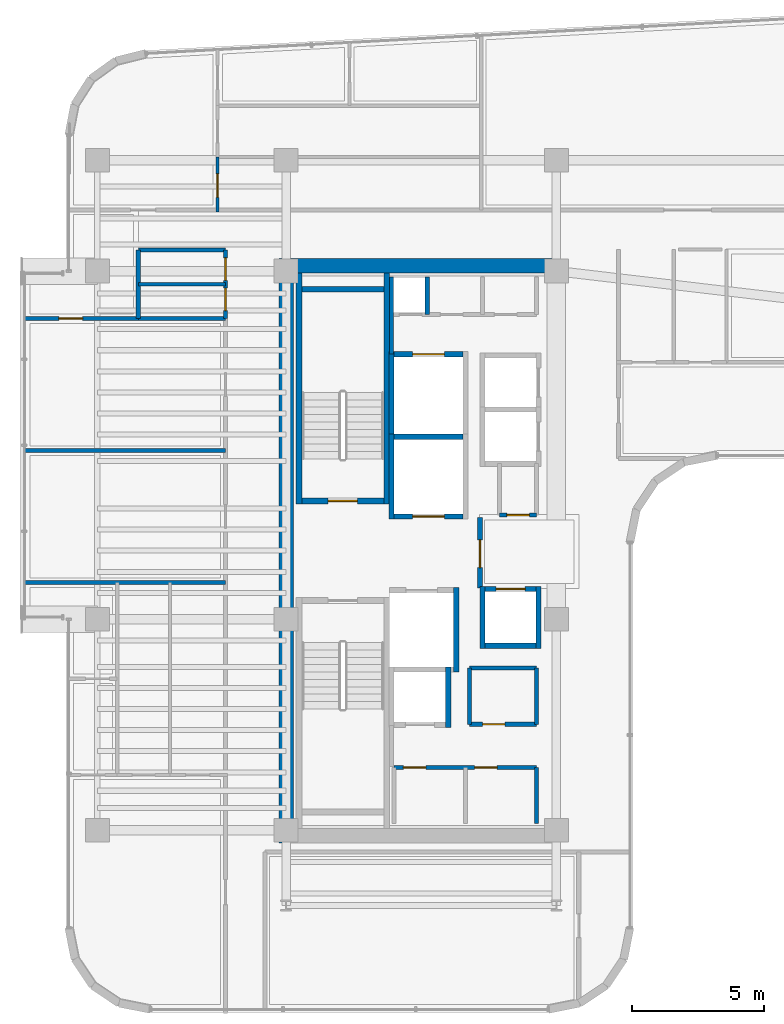
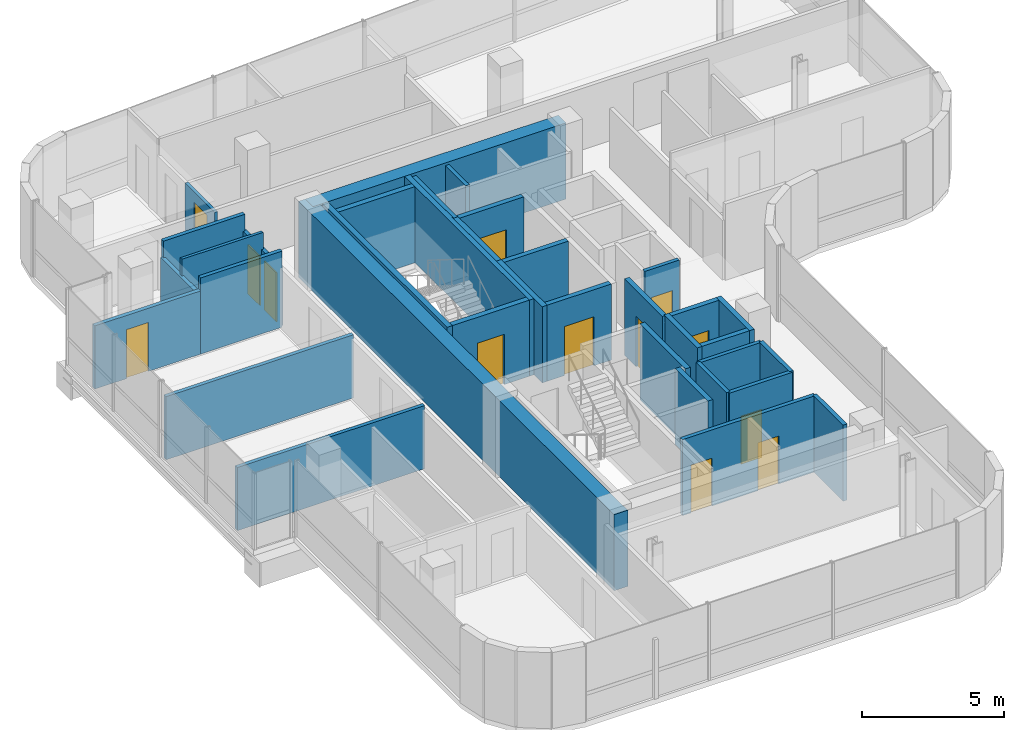
# One storey, part 17 of 22: 36 walls, 13 doors, 13 openings.
"""IFC4 building model written with IfcOpenShell, lengths in metres."""

from ifc_helpers import new_model, si_unit, direction, frame, frame_2d, origin, place, context, subcontext, project, spatial, rectangle, extrude, material, layer, layer_set, type_object, element, fill, save


model = new_model("IFC4")

# Units and contexts
model_context = context("Model", 3, precision=1e-05, world=origin(), true_north=direction((0.0, 1.0)))
body_context = subcontext(model_context, "Body", "Model", "MODEL_VIEW")
ifc_project = project(units=[si_unit("LENGTHUNIT", "METRE"), si_unit("AREAUNIT", "SQUARE_METRE"), si_unit("VOLUMEUNIT", "CUBIC_METRE"), si_unit("PLANEANGLEUNIT", "RADIAN"), si_unit("MASSUNIT", "GRAM", prefix="KILO")], contexts=[model_context])

# Site, building, storey
site_placement = place(None, origin())
site = spatial("IfcSite", under=ifc_project, at=site_placement, CompositionType="ELEMENT")
building_placement = place(site_placement, origin())
building = spatial("IfcBuilding", under=site, at=building_placement, Name="Valdorenza Pilgrim Sanctuary Tower", CompositionType="ELEMENT")
storey_placement = place(building_placement, frame((0.0, 0.0, 209.0)))
storey = spatial("IfcBuildingStorey", under=building, at=storey_placement, Name="L53", CompositionType="ELEMENT", Elevation=209.0)

# Walls
ifc_material_1 = material(Name="Acoustic twin-stud gypsum partition", Category="gypsum")
ifc_layer_1 = layer(ifc_material_1, 0.159912109375, Name="Acoustic twin-stud gypsum partition")
ifc_layer_set_1 = layer_set([ifc_layer_1], Name="Acoustic twin-stud gypsum partition")
wall_type_1 = type_object("IfcWallType", Name="WAL-COR-160", PredefinedType="PARTITIONING", material=ifc_layer_set_1)
wall_1_placement = place(storey_placement, frame((-18.64990234375, 7.449951171875, 0.0), z_axis=(0.0, 0.0, 1.0), x_axis=(0.0, 1.0, 0.0)))
element("IfcWall", 1, at=wall_1_placement, inside=storey, type_object=wall_type_1, Name="L53 Core A North Service West Wall", PredefinedType="PARTITIONING", context=body_context, shape_type="SweptSolid", body=[
    extrude(rectangle(XDim=2.929931640625, YDim=0.159912109375, at=frame_2d((1.46484375, 0.0))), origin(), (0.0, 0.0, 1.0), 3.260009765625),
])
wall_2_placement = place(storey_placement, frame((-17.300048828125, 8.949951171875, 0.0), z_axis=(0.0, 0.0, 1.0), x_axis=(0.0, 1.0, 0.0)))
element("IfcWall", 2, at=wall_2_placement, inside=storey, type_object=wall_type_1, Name="L53 Core Electrical Riser Wall", PredefinedType="PARTITIONING", context=body_context, shape_type="SweptSolid", body=[
    extrude(rectangle(XDim=1.429931640625, YDim=0.159912109375, at=frame_2d((0.71484375, 0.0))), origin(), (0.0, 0.0, 1.0), 3.260009765625),
])

# Wall, openings, doors
wall_3_placement = place(storey_placement, frame((-18.550048828125, -8.219970703125, 0.0), z_axis=(0.0, 0.0, 1.0), x_axis=(1.0, 0.0, 0.0)))
wall_3 = element("IfcWall", 3, at=wall_3_placement, inside=storey, type_object=wall_type_1, Name="L53 Freed Shaft 1 North Wall", PredefinedType="PARTITIONING", context=body_context, shape_type="SweptSolid", body=[
    extrude(rectangle(XDim=5.400146484375, YDim=0.159912109375, at=frame_2d((2.7001953125, 0.0))), origin(), (0.0, 0.0, 1.0), 3.260009765625),
])
opening_1_placement = place(wall_3_placement, frame((0.35009765625, 0.0, 0.0)))
opening_1 = element("IfcOpeningElement", 4, at=opening_1_placement, cuts=wall_3, Name="Opening DR-RS1", PredefinedType="OPENING", context=body_context, shape_type="SweptSolid", body=[
    extrude(rectangle(XDim=0.85009765625, YDim=2.050048828125, at=frame_2d((0.425048828125, 1.02490234375))), frame((0.0, 0.0947265625, 0.0), z_axis=(0.0, -1.0, 0.0), x_axis=(1.0, 0.0, 0.0)), (0.0, 0.0, 1.0), 0.189697265625),
])
opening_2_placement = place(wall_3_placement, frame((3.050048828125, 0.0, 0.0)))
opening_2 = element("IfcOpeningElement", 5, at=opening_2_placement, cuts=wall_3, Name="Opening DR-RS1", PredefinedType="OPENING", context=body_context, shape_type="SweptSolid", body=[
    extrude(rectangle(XDim=0.85009765625, YDim=2.050048828125, at=frame_2d((0.425048828125, 1.02490234375))), frame((0.0, 0.0947265625, 0.0), z_axis=(0.0, -1.0, 0.0), x_axis=(1.0, 0.0, 0.0)), (0.0, 0.0, 1.0), 0.189697265625),
])
ifc_material_2 = material(Name="Painted galvanized steel", Category="steel")
door_type_1 = type_object("IfcDoorType", Name="DR-RSR-850", OperationType="NOTDEFINED", PredefinedType="DOOR", material=ifc_material_2)
door_1_placement = place(opening_1_placement, origin())
door_1 = element("IfcDoor", 6, at=door_1_placement, inside=storey, type_object=door_type_1, Name="L53 Linen Store Door", OperationType="SINGLE_SWING_RIGHT", OverallHeight=2.050048828125, OverallWidth=0.85009765625, PredefinedType="DOOR", context=body_context, shape_type="SweptSolid", body=[
    extrude(rectangle(XDim=0.85009765625, YDim=2.050048828125, at=frame_2d((0.425048828125, 1.02490234375))), frame((0.0, 0.02490234375, 0.0), z_axis=(0.0, -1.0, 0.0), x_axis=(1.0, 0.0, 0.0)), (0.0, 0.0, 1.0), 0.050048828125),
])
fill(opening_1, door_1)
door_2_placement = place(opening_2_placement, origin())
door_2 = element("IfcDoor", 7, at=door_2_placement, inside=storey, type_object=door_type_1, Name="L53 Cot Store Door", OperationType="SINGLE_SWING_LEFT", OverallHeight=2.050048828125, OverallWidth=0.85009765625, PredefinedType="DOOR", context=body_context, shape_type="SweptSolid", body=[
    extrude(rectangle(XDim=0.85009765625, YDim=2.050048828125, at=frame_2d((0.425048828125, 1.02490234375))), frame((0.0, 0.02490234375, 0.0), z_axis=(0.0, -1.0, 0.0), x_axis=(1.0, 0.0, 0.0)), (0.0, 0.0, 1.0), 0.050048828125),
])
fill(opening_2, door_2)

# Wall
wall_4_placement = place(storey_placement, frame((-13.14990234375, -10.35009765625, 0.0), z_axis=(0.0, 0.0, 1.0), x_axis=(0.0, 1.0, 0.0)))
element("IfcWall", 8, at=wall_4_placement, inside=storey, type_object=wall_type_1, Name="L53 Freed Shaft 1 East Wall", PredefinedType="PARTITIONING", context=body_context, shape_type="SweptSolid", body=[
    extrude(rectangle(XDim=2.130126953125, YDim=0.159912109375, at=frame_2d((1.06494140625, 0.0))), origin(), (0.0, 0.0, 1.0), 3.260009765625),
])

# Wall, opening, door
wall_5_placement = place(storey_placement, frame((-15.699951171875, -6.580078125, 0.0), z_axis=(0.0, 0.0, 1.0), x_axis=(1.0, 0.0, 0.0)))
wall_5 = element("IfcWall", 9, at=wall_5_placement, inside=storey, type_object=wall_type_1, Name="L53 Freed Shaft 2 South Wall", PredefinedType="PARTITIONING", context=body_context, shape_type="SweptSolid", body=[
    extrude(rectangle(XDim=2.550048828125, YDim=0.159912109375, at=frame_2d((1.27490234375, 0.0))), origin(), (0.0, 0.0, 1.0), 3.260009765625),
])
opening_3_placement = place(wall_5_placement, frame((0.5, 0.0, 0.0)))
opening_3 = element("IfcOpeningElement", 10, at=opening_3_placement, cuts=wall_5, Name="Opening DR-RS1", PredefinedType="OPENING", context=body_context, shape_type="SweptSolid", body=[
    extrude(rectangle(XDim=0.85009765625, YDim=2.050048828125, at=frame_2d((0.425048828125, 1.02490234375))), frame((0.0, 0.0947265625, 0.0), z_axis=(0.0, -1.0, 0.0), x_axis=(1.0, 0.0, 0.0)), (0.0, 0.0, 1.0), 0.189697265625),
])
door_3_placement = place(opening_3_placement, origin())
door_3 = element("IfcDoor", 11, at=door_3_placement, inside=storey, type_object=door_type_1, Name="L53 Guest Tea Pantry Door", OperationType="SINGLE_SWING_RIGHT", OverallHeight=2.050048828125, OverallWidth=0.85009765625, PredefinedType="DOOR", context=body_context, shape_type="SweptSolid", body=[
    extrude(rectangle(XDim=0.85009765625, YDim=2.050048828125, at=frame_2d((0.425048828125, 1.02490234375))), frame((0.0, 0.02490234375, 0.0), z_axis=(0.0, -1.0, 0.0), x_axis=(1.0, 0.0, 0.0)), (0.0, 0.0, 1.0), 0.050048828125),
])
fill(opening_3, door_3)

# Walls
wall_6_placement = place(storey_placement, frame((-13.14990234375, -6.580078125, 0.0), z_axis=(0.0, 0.0, 1.0), x_axis=(0.0, 1.0, 0.0)))
element("IfcWall", 12, at=wall_6_placement, inside=storey, type_object=wall_type_1, Name="L53 Freed Shaft 2 East Wall", PredefinedType="PARTITIONING", context=body_context, shape_type="SweptSolid", body=[
    extrude(rectangle(XDim=2.130126953125, YDim=0.159912109375, at=frame_2d((1.06494140625, 0.0))), origin(), (0.0, 0.0, 1.0), 3.260009765625),
])
wall_7_placement = place(storey_placement, frame((-28.25, 8.800048828125, 0.0), z_axis=(0.0, 0.0, 1.0), x_axis=(0.0, 1.0, 0.0)))
element("IfcWall", 13, at=wall_7_placement, inside=storey, type_object=wall_type_1, Name="L53 Washroom West Wall", PredefinedType="PARTITIONING", context=body_context, shape_type="SweptSolid", body=[
    extrude(rectangle(XDim=2.599853515625, YDim=0.159912109375, at=frame_2d((1.2998046875, 0.0))), origin(), (0.0, 0.0, 1.0), 2.5439453125),
])

# Wall, openings, doors
wall_8_placement = place(storey_placement, frame((-24.949951171875, 8.800048828125, 0.0), z_axis=(0.0, 0.0, 1.0), x_axis=(0.0, 1.0, 0.0)))
wall_8 = element("IfcWall", 14, at=wall_8_placement, inside=storey, type_object=wall_type_1, Name="L53 Washroom East Wall", PredefinedType="PARTITIONING", context=body_context, shape_type="SweptSolid", body=[
    extrude(rectangle(XDim=2.599853515625, YDim=0.159912109375, at=frame_2d((1.2998046875, 0.0))), origin(), (0.0, 0.0, 1.0), 2.5439453125),
])
opening_4_placement = place(wall_8_placement, frame((0.300048828125, 0.0, 0.0)))
opening_4 = element("IfcOpeningElement", 15, at=opening_4_placement, cuts=wall_8, Name="Opening DR-WC1", PredefinedType="OPENING", context=body_context, shape_type="SweptSolid", body=[
    extrude(rectangle(XDim=0.85009765625, YDim=2.10009765625, at=frame_2d((0.425048828125, 1.050048828125))), frame((0.0, 0.0947265625, 0.0), z_axis=(0.0, -1.0, 0.0), x_axis=(1.0, 0.0, 0.0)), (0.0, 0.0, 1.0), 0.189697265625),
])
opening_5_placement = place(wall_8_placement, frame((1.449951171875, 0.0, 0.0)))
opening_5 = element("IfcOpeningElement", 16, at=opening_5_placement, cuts=wall_8, Name="Opening DR-WC1", PredefinedType="OPENING", context=body_context, shape_type="SweptSolid", body=[
    extrude(rectangle(XDim=0.85009765625, YDim=2.10009765625, at=frame_2d((0.425048828125, 1.050048828125))), frame((0.0, 0.0947265625, 0.0), z_axis=(0.0, -1.0, 0.0), x_axis=(1.0, 0.0, 0.0)), (0.0, 0.0, 1.0), 0.189697265625),
])
ifc_material_3 = material(Name="Moisture-resistant lacquered timber", Category="wood")
door_type_2 = type_object("IfcDoorType", Name="DR-BATH-850", OperationType="NOTDEFINED", PredefinedType="DOOR", material=ifc_material_3)
door_4_placement = place(opening_4_placement, origin())
door_4 = element("IfcDoor", 17, at=door_4_placement, inside=storey, type_object=door_type_2, Name="L53 Accessible Washroom Door", OperationType="SINGLE_SWING_RIGHT", OverallHeight=2.10009765625, OverallWidth=0.85009765625, PredefinedType="DOOR", context=body_context, shape_type="SweptSolid", body=[
    extrude(rectangle(XDim=0.85009765625, YDim=2.10009765625, at=frame_2d((0.425048828125, 1.050048828125))), frame((0.0, 0.02490234375, 0.0), z_axis=(0.0, -1.0, 0.0), x_axis=(1.0, 0.0, 0.0)), (0.0, 0.0, 1.0), 0.050048828125),
])
fill(opening_4, door_4)
door_5_placement = place(opening_5_placement, origin())
door_5 = element("IfcDoor", 18, at=door_5_placement, inside=storey, type_object=door_type_2, Name="L53 Public Washroom Door", OperationType="SINGLE_SWING_LEFT", OverallHeight=2.10009765625, OverallWidth=0.85009765625, PredefinedType="DOOR", context=body_context, shape_type="SweptSolid", body=[
    extrude(rectangle(XDim=0.85009765625, YDim=2.10009765625, at=frame_2d((0.425048828125, 1.050048828125))), frame((0.0, 0.02490234375, 0.0), z_axis=(0.0, -1.0, 0.0), x_axis=(1.0, 0.0, 0.0)), (0.0, 0.0, 1.0), 0.050048828125),
])
fill(opening_5, door_5)

# Walls
for number, where, z_axis, x_axis, name in (
    (19, (-28.25, 8.800048828125, 0.0), (0.0, 0.0, 1.0), (1.0, 0.0, 0.0), "L53 Washroom South Wall"),
    (20, (-28.25, 11.39990234375, 0.0), (0.0, 0.0, 1.0), (1.0, 0.0, 0.0), "L53 Washroom North Wall"),
):
    element("IfcWall", number, at=place(storey_placement, frame(where, z_axis=z_axis, x_axis=x_axis)), inside=storey, type_object=wall_type_1, Name=name, PredefinedType="PARTITIONING", context=body_context, shape_type="SweptSolid", body=[
        extrude(rectangle(XDim=3.300048828125, YDim=0.159912109375, at=frame_2d((1.64990234375, 0.0))), origin(), (0.0, 0.0, 1.0), 3.260009765625),
    ])

# Wall, opening, door
wall_9_placement = place(storey_placement, frame((-32.5400390625, 8.800048828125, 0.0), z_axis=(0.0, 0.0, 1.0), x_axis=(1.0, 0.0, 0.0)))
wall_9 = element("IfcWall", 21, at=wall_9_placement, inside=storey, type_object=wall_type_1, Name="L53 West North Alcove Wall", PredefinedType="PARTITIONING", context=body_context, shape_type="SweptSolid", body=[
    extrude(rectangle(XDim=4.2900390625, YDim=0.159912109375, at=frame_2d((2.14501953125, 0.0))), origin(), (0.0, 0.0, 1.0), 2.7060546875),
])
opening_6_placement = place(wall_9_placement, frame((1.280029296875, 0.0, 0.0)))
opening_6 = element("IfcOpeningElement", 22, at=opening_6_placement, cuts=wall_9, Name="Opening DR-RM1", PredefinedType="OPENING", context=body_context, shape_type="SweptSolid", body=[
    extrude(rectangle(XDim=0.89990234375, YDim=2.10009765625, at=frame_2d((0.449951171875, 1.050048828125))), frame((0.0, 0.0947265625, 0.0), z_axis=(0.0, -1.0, 0.0), x_axis=(1.0, 0.0, 0.0)), (0.0, 0.0, 1.0), 0.189697265625),
])
ifc_material_4 = material(Name="Solid-core European oak timber", Category="wood")
door_type_3 = type_object("IfcDoorType", Name="DR-ROOM-900", OperationType="NOTDEFINED", PredefinedType="DOOR", material=ifc_material_4)
door_6_placement = place(opening_6_placement, origin())
door_6 = element("IfcDoor", 23, at=door_6_placement, inside=storey, type_object=door_type_3, Name="L53 Pilgrim Scholar Office L53-WN Door", OperationType="SINGLE_SWING_RIGHT", OverallHeight=2.10009765625, OverallWidth=0.89990234375, PredefinedType="DOOR", context=body_context, shape_type="SweptSolid", body=[
    extrude(rectangle(XDim=0.89990234375, YDim=2.10009765625, at=frame_2d((0.449951171875, 1.050048828125))), frame((0.0, 0.02490234375, 0.0), z_axis=(0.0, -1.0, 0.0), x_axis=(1.0, 0.0, 0.0)), (0.0, 0.0, 1.0), 0.050048828125),
])
fill(opening_6, door_6)

# Walls
ifc_material_5 = material(Name="Concrete C50/60", Category="concrete")
ifc_layer_2 = layer(ifc_material_5, 0.550048828125, Name="Concrete C50/60")
ifc_layer_set_2 = layer_set([ifc_layer_2], Name="Concrete C50/60")
wall_type_2 = type_object("IfcWallType", Name="WAL-COR-550", PredefinedType="SHEAR", material=ifc_layer_set_2)
wall_10_placement = place(storey_placement, frame((-22.64990234375, -11.074951171875, 0.0), z_axis=(0.0, 0.0, 1.0), x_axis=(0.0, 1.0, 0.0)))
element("IfcWall", 24, at=wall_10_placement, inside=storey, type_object=wall_type_2, Name="L53 Split Core A Shear Wall W", PredefinedType="SHEAR", context=body_context, shape_type="SweptSolid", body=[
    extrude(rectangle(XDim=22.14990234375, YDim=0.550048828125, at=frame_2d((11.074951171875, 0.0))), origin(), (0.0, 0.0, 1.0), 3.260009765625),
])
wall_11_placement = place(storey_placement, frame((-22.64990234375, 10.800048828125, 0.0), z_axis=(0.0, 0.0, 1.0), x_axis=(1.0, 0.0, 0.0)))
element("IfcWall", 25, at=wall_11_placement, inside=storey, type_object=wall_type_2, Name="L53 Split Core A Shear Wall N", PredefinedType="SHEAR", context=body_context, shape_type="SweptSolid", body=[
    extrude(rectangle(XDim=10.25, YDim=0.550048828125, at=frame_2d((5.125, 0.0))), origin(), (0.0, 0.0, 1.0), 3.260009765625),
])

# Wall, opening, door
ifc_material_6 = material(Name="Gypsum shaftwall partition", Category="gypsum")
ifc_layer_3 = layer(ifc_material_6, 0.199951171875, Name="Gypsum shaftwall partition")
ifc_layer_set_3 = layer_set([ifc_layer_3], Name="Gypsum shaftwall partition")
wall_type_3 = type_object("IfcWallType", Name="WAL-FFL-200", PredefinedType="PARTITIONING", material=ifc_layer_set_3)
wall_12_placement = place(storey_placement, frame((-15.300048828125, -1.419921875, 0.0), z_axis=(0.0, 0.0, 1.0), x_axis=(0.0, 1.0, 0.0)))
wall_12 = element("IfcWall", 26, at=wall_12_placement, inside=storey, type_object=wall_type_3, Name="L53 Core A Firefighting Lobby East Wall", PredefinedType="PARTITIONING", context=body_context, shape_type="SweptSolid", body=[
    extrude(rectangle(XDim=2.669921875, YDim=0.199951171875, at=frame_2d((1.3349609375, 0.0))), origin(), (0.0, 0.0, 1.0), 3.260009765625),
])
opening_7_placement = place(wall_12_placement, frame((0.780029296875, 0.0, 0.0)))
opening_7 = element("IfcOpeningElement", 27, at=opening_7_placement, cuts=wall_12, Name="Opening DR-FL1", PredefinedType="OPENING", context=body_context, shape_type="SweptSolid", body=[
    extrude(rectangle(XDim=1.050048828125, YDim=2.14990234375, at=frame_2d((0.52490234375, 1.074951171875))), frame((0.0, 0.11474609375, 0.0), z_axis=(0.0, -1.0, 0.0), x_axis=(1.0, 0.0, 0.0)), (0.0, 0.0, 1.0), 0.229736328125),
])
door_type_4 = type_object("IfcDoorType", Name="DR-FFL-1050", OperationType="NOTDEFINED", PredefinedType="DOOR", material=ifc_material_2)
door_7_placement = place(opening_7_placement, origin())
door_7 = element("IfcDoor", 28, at=door_7_placement, inside=storey, type_object=door_type_4, Name="L53 Core A Firefighting Lobby Door", OperationType="SINGLE_SWING_RIGHT", OverallHeight=2.14990234375, OverallWidth=1.050048828125, PredefinedType="DOOR", context=body_context, shape_type="SweptSolid", body=[
    extrude(rectangle(XDim=1.050048828125, YDim=2.14990234375, at=frame_2d((0.52490234375, 1.074951171875))), frame((0.0, 0.02490234375, 0.0), z_axis=(0.0, -1.0, 0.0), x_axis=(1.0, 0.0, 0.0)), (0.0, 0.0, 1.0), 0.050048828125),
])
fill(opening_7, door_7)

# Wall
ifc_material_7 = material(Name="Moisture-resistant gypsum partition", Category="gypsum")
ifc_layer_4 = layer(ifc_material_7, 0.1201171875, Name="Moisture-resistant gypsum partition")
ifc_layer_set_4 = layer_set([ifc_layer_4], Name="Moisture-resistant gypsum partition")
wall_type_4 = type_object("IfcWallType", Name="WAL-INT-120", PredefinedType="PARTITIONING", material=ifc_layer_set_4)
wall_13_placement = place(storey_placement, frame((-28.25, 10.10009765625, 0.0), z_axis=(0.0, 0.0, 1.0), x_axis=(1.0, 0.0, 0.0)))
element("IfcWall", 29, at=wall_13_placement, inside=storey, type_object=wall_type_4, Name="L53 Washroom Divider Wall", PredefinedType="PARTITIONING", context=body_context, shape_type="SweptSolid", body=[
    extrude(rectangle(XDim=3.300048828125, YDim=0.1201171875, at=frame_2d((1.64990234375, 0.0))), origin(), (0.0, 0.0, 1.0), 3.260009765625),
])

# Wall, opening, door
wall_14_placement = place(storey_placement, frame((-25.24560546875, 12.840087890625, 0.0), z_axis=(0.0, 0.0, 1.0), x_axis=(0.0, 1.0, 0.0)))
wall_14 = element("IfcWall", 30, at=wall_14_placement, inside=storey, type_object=wall_type_4, Name="L53 North Grand Residence L53-N1 Kitchen Door Wall", PredefinedType="PARTITIONING", context=body_context, shape_type="SweptSolid", body=[
    extrude(rectangle(XDim=2.079833984375, YDim=0.1201171875, at=frame_2d((1.0400390625, 0.0))), origin(), (0.0, 0.0, 1.0), 2.5439453125),
])
opening_8_placement = place(wall_14_placement, frame((0.550048828125, 0.0, 0.0)))
opening_8 = element("IfcOpeningElement", 31, at=opening_8_placement, cuts=wall_14, Name="Opening DR-RM1", PredefinedType="OPENING", context=body_context, shape_type="SweptSolid", body=[
    extrude(rectangle(XDim=0.89990234375, YDim=2.10009765625, at=frame_2d((0.449951171875, 1.050048828125))), frame((0.0, 0.074951171875, 0.0), z_axis=(0.0, -1.0, 0.0), x_axis=(1.0, 0.0, 0.0)), (0.0, 0.0, 1.0), 0.14990234375),
])
door_8_placement = place(opening_8_placement, origin())
door_8 = element("IfcDoor", 32, at=door_8_placement, inside=storey, type_object=door_type_3, Name="L53 North Grand Residence L53-N1 Kitchen Door", OperationType="SINGLE_SWING_LEFT", OverallHeight=2.10009765625, OverallWidth=0.89990234375, PredefinedType="DOOR", context=body_context, shape_type="SweptSolid", body=[
    extrude(rectangle(XDim=0.89990234375, YDim=2.10009765625, at=frame_2d((0.449951171875, 1.050048828125))), frame((0.0, 0.02490234375, 0.0), z_axis=(0.0, -1.0, 0.0), x_axis=(1.0, 0.0, 0.0)), (0.0, 0.0, 1.0), 0.050048828125),
])
fill(opening_8, door_8)

# Wall
ifc_material_8 = material(Name="Autoclaved aerated concrete blockwork", Category="masonry")
ifc_layer_5 = layer(ifc_material_8, 0.199951171875, Name="Autoclaved aerated concrete blockwork")
ifc_layer_set_5 = layer_set([ifc_layer_5], Name="Autoclaved aerated concrete blockwork")
wall_type_5 = type_object("IfcWallType", Name="WAL-SHF-200", PredefinedType="MOVABLE", material=ifc_layer_set_5)
wall_15_placement = place(storey_placement, frame((-18.64990234375, 1.199951171875, 0.0), z_axis=(0.0, 0.0, 1.0), x_axis=(0.0, 1.0, 0.0)))
element("IfcWall", 33, at=wall_15_placement, inside=storey, type_object=wall_type_5, Name="L53 Lift FFL-01 Hoistway Wall West", PredefinedType="MOVABLE", context=body_context, shape_type="SweptSolid", body=[
    extrude(rectangle(XDim=3.22509765625, YDim=0.199951171875, at=frame_2d((1.612548828125, 0.0))), origin(), (0.0, 0.0, 1.0), 3.260009765625),
])

# Wall, opening, door
wall_16_placement = place(storey_placement, frame((-18.550048828125, 1.300048828125, 0.0), z_axis=(0.0, 0.0, 1.0), x_axis=(1.0, 0.0, 0.0)))
wall_16 = element("IfcWall", 34, at=wall_16_placement, inside=storey, type_object=wall_type_5, Name="L53 Lift FFL-01 Hoistway Wall South", PredefinedType="MOVABLE", context=body_context, shape_type="SweptSolid", body=[
    extrude(rectangle(XDim=2.60009765625, YDim=0.199951171875, at=frame_2d((1.300048828125, 0.0))), origin(), (0.0, 0.0, 1.0), 3.260009765625),
])
opening_9_placement = place(wall_16_placement, frame((0.699951171875, 0.0, 0.0)))
opening_9 = element("IfcOpeningElement", 35, at=opening_9_placement, cuts=wall_16, Name="Opening LD-02", PredefinedType="OPENING", context=body_context, shape_type="SweptSolid", body=[
    extrude(rectangle(XDim=1.199951171875, YDim=2.10009765625, at=frame_2d((0.60009765625, 1.050048828125))), frame((0.0, 0.11474609375, 0.0), z_axis=(0.0, -1.0, 0.0), x_axis=(1.0, 0.0, 0.0)), (0.0, 0.0, 1.0), 0.229736328125),
])
ifc_material_9 = material(Name="Brushed stainless steel Grade 316", Category="steel")
door_type_5 = type_object("IfcDoorType", Name="DR-LFT-1200", OperationType="DOUBLE_DOOR_SLIDING", PredefinedType="DOOR", material=ifc_material_9)
door_9_placement = place(opening_9_placement, origin())
door_9 = element("IfcDoor", 36, at=door_9_placement, inside=storey, type_object=door_type_5, Name="L53 Lift FFL-01 Sliding Landing Door", OperationType="DOUBLE_DOOR_SLIDING", OverallHeight=2.10009765625, OverallWidth=1.199951171875, PredefinedType="DOOR", context=body_context, shape_type="SweptSolid", body=[
    extrude(rectangle(XDim=1.199951171875, YDim=2.10009765625, at=frame_2d((0.60009765625, 1.050048828125))), frame((0.0, 0.02490234375, 0.0), z_axis=(0.0, -1.0, 0.0), x_axis=(1.0, 0.0, 0.0)), (0.0, 0.0, 1.0), 0.050048828125),
])
fill(opening_9, door_9)

# Walls
wall_17_placement = place(storey_placement, frame((-18.550048828125, 4.324951171875, 0.0), z_axis=(0.0, 0.0, 1.0), x_axis=(1.0, 0.0, 0.0)))
element("IfcWall", 37, at=wall_17_placement, inside=storey, type_object=wall_type_5, Name="L53 Lift FFL-01 Hoistway Wall North", PredefinedType="MOVABLE", context=body_context, shape_type="SweptSolid", body=[
    extrude(rectangle(XDim=2.60009765625, YDim=0.199951171875, at=frame_2d((1.300048828125, 0.0))), origin(), (0.0, 0.0, 1.0), 3.260009765625),
])
wall_18_placement = place(storey_placement, frame((-16.199951171875, -4.60009765625, 0.0), z_axis=(0.0, 0.0, 1.0), x_axis=(0.0, 1.0, 0.0)))
element("IfcWall", 38, at=wall_18_placement, inside=storey, type_object=wall_type_5, Name="L53 Lift FFL-02 Hoistway Wall East", PredefinedType="MOVABLE", context=body_context, shape_type="SweptSolid", body=[
    extrude(rectangle(XDim=3.2001953125, YDim=0.199951171875, at=frame_2d((1.60009765625, 0.0))), origin(), (0.0, 0.0, 1.0), 3.260009765625),
])
wall_19_placement = place(storey_placement, frame((-18.64990234375, 4.22509765625, 0.0), z_axis=(0.0, 0.0, 1.0), x_axis=(0.0, 1.0, 0.0)))
element("IfcWall", 39, at=wall_19_placement, inside=storey, type_object=wall_type_5, Name="L53 Lift SVL-01 Hoistway Wall West", PredefinedType="MOVABLE", context=body_context, shape_type="SweptSolid", body=[
    extrude(rectangle(XDim=3.324951171875, YDim=0.199951171875, at=frame_2d((1.66259765625, 0.0))), origin(), (0.0, 0.0, 1.0), 3.260009765625),
])

# Wall, opening, door
wall_20_placement = place(storey_placement, frame((-18.550048828125, 7.449951171875, 0.0), z_axis=(0.0, 0.0, 1.0), x_axis=(1.0, 0.0, 0.0)))
wall_20 = element("IfcWall", 40, at=wall_20_placement, inside=storey, type_object=wall_type_5, Name="L53 Lift SVL-01 Hoistway Wall North", PredefinedType="MOVABLE", context=body_context, shape_type="SweptSolid", body=[
    extrude(rectangle(XDim=2.60009765625, YDim=0.199951171875, at=frame_2d((1.300048828125, 0.0))), origin(), (0.0, 0.0, 1.0), 3.260009765625),
])
opening_10_placement = place(wall_20_placement, frame((0.699951171875, 0.0, 0.0)))
opening_10 = element("IfcOpeningElement", 41, at=opening_10_placement, cuts=wall_20, Name="Opening LD-02", PredefinedType="OPENING", context=body_context, shape_type="SweptSolid", body=[
    extrude(rectangle(XDim=1.199951171875, YDim=2.10009765625, at=frame_2d((0.60009765625, 1.050048828125))), frame((0.0, 0.11474609375, 0.0), z_axis=(0.0, -1.0, 0.0), x_axis=(1.0, 0.0, 0.0)), (0.0, 0.0, 1.0), 0.229736328125),
])
door_10_placement = place(opening_10_placement, origin())
door_10 = element("IfcDoor", 42, at=door_10_placement, inside=storey, type_object=door_type_5, Name="L53 Lift SVL-01 Sliding Landing Door", OperationType="DOUBLE_DOOR_SLIDING", OverallHeight=2.10009765625, OverallWidth=1.199951171875, PredefinedType="DOOR", context=body_context, shape_type="SweptSolid", body=[
    extrude(rectangle(XDim=1.199951171875, YDim=2.10009765625, at=frame_2d((0.60009765625, 1.050048828125))), frame((0.0, 0.02490234375, 0.0), z_axis=(0.0, -1.0, 0.0), x_axis=(1.0, 0.0, 0.0)), (0.0, 0.0, 1.0), 0.050048828125),
])
fill(opening_10, door_10)

# Walls
wall_21_placement = place(storey_placement, frame((-16.5, -6.699951171875, 0.0), z_axis=(0.0, 0.0, 1.0), x_axis=(0.0, 1.0, 0.0)))
element("IfcWall", 43, at=wall_21_placement, inside=storey, type_object=wall_type_5, Name="L53 Lift PL-11 Hoistway Wall East", PredefinedType="MOVABLE", context=body_context, shape_type="SweptSolid", body=[
    extrude(rectangle(XDim=2.300048828125, YDim=0.199951171875, at=frame_2d((1.14990234375, 0.0))), origin(), (0.0, 0.0, 1.0), 3.260009765625),
])
for number, where, z_axis, x_axis, name in (
    (44, (-15.199951171875, -3.699951171875, 0.0), (0.0, 0.0, 1.0), (0.0, 1.0, 0.0), "L53 Lift PL-12 Hoistway Wall West"),
    (45, (-13.080078125, -3.699951171875, 0.0), (0.0, 0.0, 1.0), (0.0, 1.0, 0.0), "L53 Lift PL-12 Hoistway Wall East"),
):
    element("IfcWall", number, at=place(storey_placement, frame(where, z_axis=z_axis, x_axis=x_axis)), inside=storey, type_object=wall_type_5, Name=name, PredefinedType="MOVABLE", context=body_context, shape_type="SweptSolid", body=[
        extrude(rectangle(XDim=2.349853515625, YDim=0.199951171875, at=frame_2d((1.1748046875, 0.0))), origin(), (0.0, 0.0, 1.0), 3.260009765625),
    ])
wall_22_placement = place(storey_placement, frame((-15.10009765625, -3.60009765625, 0.0), z_axis=(0.0, 0.0, 1.0), x_axis=(1.0, 0.0, 0.0)))
element("IfcWall", 46, at=wall_22_placement, inside=storey, type_object=wall_type_5, Name="L53 Lift PL-12 Hoistway Wall South", PredefinedType="MOVABLE", context=body_context, shape_type="SweptSolid", body=[
    extrude(rectangle(XDim=1.920166015625, YDim=0.199951171875, at=frame_2d((0.9599609375, 0.0))), origin(), (0.0, 0.0, 1.0), 3.260009765625),
])

# Wall, opening, door
wall_23_placement = place(storey_placement, frame((-15.10009765625, -1.449951171875, 0.0), z_axis=(0.0, 0.0, 1.0), x_axis=(1.0, 0.0, 0.0)))
wall_23 = element("IfcWall", 47, at=wall_23_placement, inside=storey, type_object=wall_type_5, Name="L53 Lift PL-12 Hoistway Wall North", PredefinedType="MOVABLE", context=body_context, shape_type="SweptSolid", body=[
    extrude(rectangle(XDim=1.920166015625, YDim=0.199951171875, at=frame_2d((0.9599609375, 0.0))), origin(), (0.0, 0.0, 1.0), 3.260009765625),
])
opening_11_placement = place(wall_23_placement, frame((0.409912109375, 0.0, 0.0)))
opening_11 = element("IfcOpeningElement", 48, at=opening_11_placement, cuts=wall_23, Name="Opening LD-01", PredefinedType="OPENING", context=body_context, shape_type="SweptSolid", body=[
    extrude(rectangle(XDim=1.10009765625, YDim=2.10009765625, at=frame_2d((0.550048828125, 1.050048828125))), frame((0.0, 0.11474609375, 0.0), z_axis=(0.0, -1.0, 0.0), x_axis=(1.0, 0.0, 0.0)), (0.0, 0.0, 1.0), 0.229736328125),
])
door_type_6 = type_object("IfcDoorType", Name="DR-LFT-1100", OperationType="DOUBLE_DOOR_SLIDING", PredefinedType="DOOR", material=ifc_material_9)
door_11_placement = place(opening_11_placement, origin())
door_11 = element("IfcDoor", 49, at=door_11_placement, inside=storey, type_object=door_type_6, Name="L53 Lift PL-12 Sliding Landing Door", OperationType="DOUBLE_DOOR_SLIDING", OverallHeight=2.10009765625, OverallWidth=1.10009765625, PredefinedType="DOOR", context=body_context, shape_type="SweptSolid", body=[
    extrude(rectangle(XDim=1.10009765625, YDim=2.10009765625, at=frame_2d((0.550048828125, 1.050048828125))), frame((0.0, 0.02490234375, 0.0), z_axis=(0.0, -1.0, 0.0), x_axis=(1.0, 0.0, 0.0)), (0.0, 0.0, 1.0), 0.050048828125),
])
fill(opening_11, door_11)

# Walls
ifc_material_10 = material(Name="Concrete C40/50", Category="concrete")
ifc_layer_6 = layer(ifc_material_10, 0.219970703125, Name="Concrete C40/50")
ifc_layer_set_6 = layer_set([ifc_layer_6], Name="Concrete C40/50")
wall_type_6 = type_object("IfcWallType", Name="WAL-STR-SHF-220", PredefinedType="SHEAR", material=ifc_layer_set_6)
for number, where, z_axis, x_axis, name in (
    (50, (-22.159912109375, 1.780029296875, 0.0), (0.0, 0.0, 1.0), (0.0, 1.0, 0.0), "L53 ST-A1 Structural Stairwell Wall W"),
    (51, (-18.830078125, 1.780029296875, 0.0), (0.0, 0.0, 1.0), (0.0, 1.0, 0.0), "L53 ST-A1 Structural Stairwell Wall E"),
):
    element("IfcWall", number, at=place(storey_placement, frame(where, z_axis=z_axis, x_axis=x_axis)), inside=storey, type_object=wall_type_6, Name=name, PredefinedType="SHEAR", context=body_context, shape_type="SweptSolid", body=[
        extrude(rectangle(XDim=8.744873046875, YDim=0.219970703125, at=frame_2d((4.37255859375, 0.0))), origin(), (0.0, 0.0, 1.0), 3.260009765625),
    ])

# Wall, opening, door
wall_24_placement = place(storey_placement, frame((-22.050048828125, 1.889892578125, 0.0), z_axis=(0.0, 0.0, 1.0), x_axis=(1.0, 0.0, 0.0)))
wall_24 = element("IfcWall", 52, at=wall_24_placement, inside=storey, type_object=wall_type_6, Name="L53 ST-A1 Structural Stairwell Wall S", PredefinedType="SHEAR", context=body_context, shape_type="SweptSolid", body=[
    extrude(rectangle(XDim=3.110107421875, YDim=0.219970703125, at=frame_2d((1.55517578125, 0.0))), origin(), (0.0, 0.0, 1.0), 3.260009765625),
])
opening_12_placement = place(wall_24_placement, frame((1.0, 0.0, 0.0)))
opening_12 = element("IfcOpeningElement", 53, at=opening_12_placement, cuts=wall_24, Name="Opening DR-ST1", PredefinedType="OPENING", context=body_context, shape_type="SweptSolid", body=[
    extrude(rectangle(XDim=1.10009765625, YDim=2.14990234375, at=frame_2d((0.550048828125, 1.074951171875))), frame((0.0, 0.125, 0.0), z_axis=(0.0, -1.0, 0.0), x_axis=(1.0, 0.0, 0.0)), (0.0, 0.0, 1.0), 0.249755859375),
])
door_type_7 = type_object("IfcDoorType", Name="DR-STAIR-1100", OperationType="NOTDEFINED", PredefinedType="DOOR", material=ifc_material_2)
door_12_placement = place(opening_12_placement, frame((1.10009765625, 0.0, 0.0), z_axis=(0.0, 0.0, 1.0), x_axis=(-1.0, 0.0, 0.0)))
door_12 = element("IfcDoor", 54, at=door_12_placement, inside=storey, type_object=door_type_7, Name="L53 Exit Stair ST-A1 Door", OperationType="SINGLE_SWING_LEFT", OverallHeight=2.14990234375, OverallWidth=1.10009765625, PredefinedType="DOOR", context=body_context, shape_type="SweptSolid", body=[
    extrude(rectangle(XDim=1.10009765625, YDim=2.14990234375, at=frame_2d((0.550048828125, 1.074951171875))), frame((0.0, 0.02490234375, 0.0), z_axis=(0.0, -1.0, 0.0), x_axis=(1.0, 0.0, 0.0)), (0.0, 0.0, 1.0), 0.050048828125),
])
fill(opening_12, door_12)

# Walls
wall_25_placement = place(storey_placement, frame((-22.050048828125, 9.909912109375, 0.0), z_axis=(0.0, 0.0, 1.0), x_axis=(1.0, 0.0, 0.0)))
element("IfcWall", 55, at=wall_25_placement, inside=storey, type_object=wall_type_6, Name="L53 ST-A1 Structural Stairwell Wall N", PredefinedType="SHEAR", context=body_context, shape_type="SweptSolid", body=[
    extrude(rectangle(XDim=3.110107421875, YDim=0.219970703125, at=frame_2d((1.55517578125, 0.0))), origin(), (0.0, 0.0, 1.0), 3.260009765625),
])
ifc_layer_7 = layer(ifc_material_1, 0.14990234375, Name="Acoustic twin-stud gypsum partition")
ifc_layer_set_7 = layer_set([ifc_layer_7], Name="Acoustic twin-stud gypsum partition")
wall_type_7 = type_object("IfcWallType", Name="WAL-UNT-150", PredefinedType="PARTITIONING", material=ifc_layer_set_7)
wall_26_placement = place(storey_placement, frame((-15.699951171875, -6.580078125, 0.0), z_axis=(0.0, 0.0, 1.0), x_axis=(0.0, 1.0, 0.0)))
element("IfcWall", 56, at=wall_26_placement, inside=storey, type_object=wall_type_7, Name="L53 Freed Shaft 2 West Wall", PredefinedType="PARTITIONING", context=body_context, shape_type="SweptSolid", body=[
    extrude(rectangle(XDim=2.130126953125, YDim=0.14990234375, at=frame_2d((1.06494140625, 0.0))), origin(), (0.0, 0.0, 1.0), 3.260009765625),
])
wall_27_placement = place(storey_placement, frame((-15.699951171875, -4.449951171875, 0.0), z_axis=(0.0, 0.0, 1.0), x_axis=(1.0, 0.0, 0.0)))
element("IfcWall", 57, at=wall_27_placement, inside=storey, type_object=wall_type_7, Name="L53 Freed Shaft 2 North Wall", PredefinedType="PARTITIONING", context=body_context, shape_type="SweptSolid", body=[
    extrude(rectangle(XDim=2.550048828125, YDim=0.14990234375, at=frame_2d((1.27490234375, 0.0))), origin(), (0.0, 0.0, 1.0), 3.260009765625),
])

# Wall, opening, door
wall_28_placement = place(storey_placement, frame((-14.550048828125, 1.35009765625, 0.0), z_axis=(0.0, 0.0, 1.0), x_axis=(1.0, 0.0, 0.0)))
wall_28 = element("IfcWall", 58, at=wall_28_placement, inside=storey, type_object=wall_type_7, Name="L53 Freed Shaft 6 South Wall", PredefinedType="PARTITIONING", context=body_context, shape_type="SweptSolid", body=[
    extrude(rectangle(XDim=1.400146484375, YDim=0.14990234375, at=frame_2d((0.7001953125, 0.0))), origin(), (0.0, 0.0, 1.0), 3.260009765625),
])
opening_13_placement = place(wall_28_placement, frame((0.27490234375, 0.0, 0.0)))
opening_13 = element("IfcOpeningElement", 59, at=opening_13_placement, cuts=wall_28, Name="Opening DR-RS1", PredefinedType="OPENING", context=body_context, shape_type="SweptSolid", body=[
    extrude(rectangle(XDim=0.85009765625, YDim=2.050048828125, at=frame_2d((0.425048828125, 1.02490234375))), frame((0.0, 0.08984375, 0.0), z_axis=(0.0, -1.0, 0.0), x_axis=(1.0, 0.0, 0.0)), (0.0, 0.0, 1.0), 0.1796875),
])
door_13_placement = place(opening_13_placement, origin())
door_13 = element("IfcDoor", 60, at=door_13_placement, inside=storey, type_object=door_type_1, Name="L53 High-Rise Butler Pantry Door", OperationType="SINGLE_SWING_LEFT", OverallHeight=2.050048828125, OverallWidth=0.85009765625, PredefinedType="DOOR", context=body_context, shape_type="SweptSolid", body=[
    extrude(rectangle(XDim=0.85009765625, YDim=2.050048828125, at=frame_2d((0.425048828125, 1.02490234375))), frame((0.0, 0.02490234375, 0.0), z_axis=(0.0, -1.0, 0.0), x_axis=(1.0, 0.0, 0.0)), (0.0, 0.0, 1.0), 0.050048828125),
])
fill(opening_13, door_13)

# Walls
for number, where, z_axis, x_axis, name in (
    (61, (-32.5400390625, -1.208984375, 0.0), (0.0, 0.0, 1.0), (1.0, 0.0, 0.0), "L53 West Penthouse Split"),
    (62, (-32.5400390625, 3.79541015625, 0.0), (0.0, 0.0, 1.0), (1.0, 0.0, 0.0), "L53 Curator Research Office L53-W Demising Wall"),
):
    element("IfcWall", number, at=place(storey_placement, frame(where, z_axis=z_axis, x_axis=x_axis)), inside=storey, type_object=wall_type_7, Name=name, PredefinedType="PARTITIONING", context=body_context, shape_type="SweptSolid", body=[
        extrude(rectangle(XDim=7.590087890625, YDim=0.14990234375, at=frame_2d((3.794921875, 0.0))), origin(), (0.0, 0.0, 1.0), 2.7060546875),
    ])

save(model, "model.ifc")
